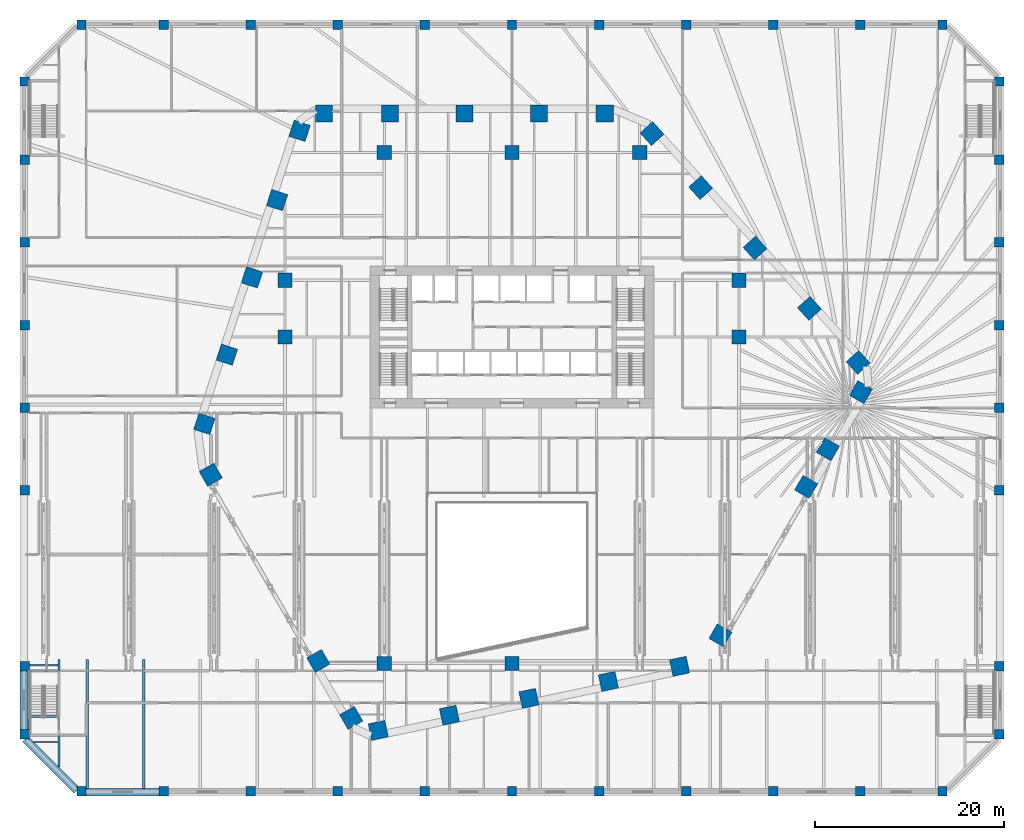
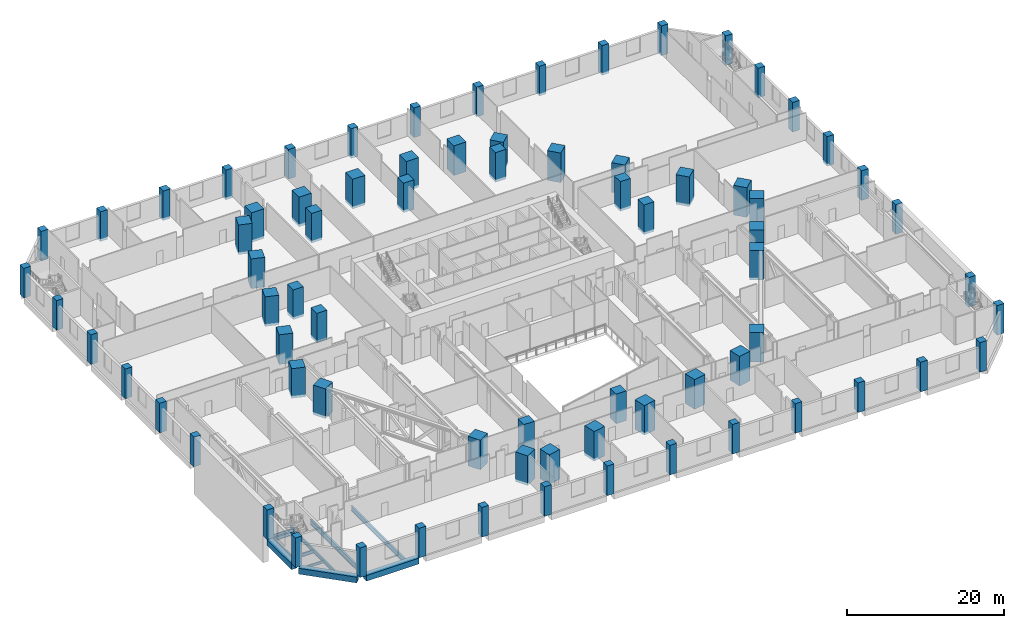
# One storey, part 1 of 32: 74 columns, 11 beams.
"""IFC4 building model written with IfcOpenShell, lengths in metres."""

from ifc_helpers import new_model, si_unit, direction, frame, origin, origin_2d, place, context, subcontext, project, spatial, rectangle, i_section, extrude, material, material_profile, profile_set, type_object, element, save


model = new_model("IFC4")

# Units and contexts
model_context = context("Model", 3, precision=1e-05, world=origin(), true_north=direction((0.0, 1.0)))
body_context = subcontext(model_context, "Body", "Model", "MODEL_VIEW")
ifc_project = project(units=[si_unit("LENGTHUNIT", "METRE"), si_unit("AREAUNIT", "SQUARE_METRE"), si_unit("VOLUMEUNIT", "CUBIC_METRE"), si_unit("PLANEANGLEUNIT", "RADIAN"), si_unit("MASSUNIT", "GRAM", prefix="KILO")], contexts=[model_context])

# Site, building, storey
site_placement = place(None, origin())
site = spatial("IfcSite", under=ifc_project, at=site_placement, CompositionType="ELEMENT")
building_placement = place(site_placement, origin())
building = spatial("IfcBuilding", under=site, at=building_placement, Name="Isthmus Gate Tower", CompositionType="ELEMENT")
storey_placement = place(building_placement, frame((0.0, 0.0, 18.0)))
storey = spatial("IfcBuildingStorey", under=building, at=storey_placement, Name="L02", CompositionType="ELEMENT", Elevation=18.0)

# Columns
ifc_material_1 = material(Name="Concrete f'c 70 MPa", Category="concrete")
ifc_material_profile_1 = material_profile(ifc_material_1, rectangle(XDim=1.5, YDim=1.5, at=origin_2d()), Name="RC 1500X1500")
ifc_profile_set_1 = profile_set([ifc_material_profile_1], Name="Concrete f'c 70 MPa")
column_type_1 = type_object("IfcColumnType", Name="RC INTERIOR COLUMN 1500 X 1500", PredefinedType="COLUMN", material=ifc_profile_set_1)
for number, where, z_axis, x_axis, name in (
    (1, (-24.0, 7.5, -0.39990234375), (0.0, 0.0, 1.0), (1.0, 0.0, 0.0), "str-icol-L02-ICA3"),
    (2, (-24.0, 13.5, -0.39990234375), (0.0, 0.0, 1.0), (1.0, 0.0, 0.0), "str-icol-L02-ICA4"),
    (3, (-13.5, -27.0, -0.39990234375), (0.0, 0.0, 1.0), (1.0, 0.0, 0.0), "str-icol-L02-ICB1"),
    (4, (-13.5, 27.0, -0.39990234375), (0.0, 0.0, 1.0), (1.0, 0.0, 0.0), "str-icol-L02-ICB5"),
    (5, (0.0, -27.0, -0.39990234375), (0.0, 0.0, 1.0), (1.0, 0.0, 0.0), "str-icol-L02-ICC1"),
    (6, (0.0, 27.0, -0.39990234375), (0.0, 0.0, 1.0), (1.0, 0.0, 0.0), "str-icol-L02-ICC5"),
    (7, (13.5, 27.0, -0.39990234375), (0.0, 0.0, 1.0), (1.0, 0.0, 0.0), "str-icol-L02-ICD5"),
    (8, (24.0, 7.5, -0.39990234375), (0.0, 0.0, 1.0), (1.0, 0.0, 0.0), "str-icol-L02-ICE3"),
    (9, (24.0, 13.5, -0.39990234375), (0.0, 0.0, 1.0), (1.0, 0.0, 0.0), "str-icol-L02-ICE4"),
):
    element("IfcColumn", number, at=place(storey_placement, frame(where, z_axis=z_axis, x_axis=x_axis)), inside=storey, type_object=column_type_1, Name=name, PredefinedType="COLUMN", context=body_context, shape_type="SweptSolid", body=[
        extrude(rectangle(XDim=1.5, YDim=1.5, at=origin_2d()), origin(), (0.0, 0.0, 1.0), 4.599853515625),
    ])
ifc_material_2 = material(Name="Concrete f'c 70 MPa", Category="concrete")
ifc_material_profile_2 = material_profile(ifc_material_2, rectangle(XDim=1.0, YDim=1.0, at=origin_2d()), Name="RC 1000X1000")
ifc_profile_set_2 = profile_set([ifc_material_profile_2], Name="Concrete f'c 70 MPa")
column_type_2 = type_object("IfcColumnType", Name="RC PODIUM COLUMN 1000 X 1000", PredefinedType="COLUMN", material=ifc_profile_set_2)
for number, where, z_axis, x_axis, name in (
    (10, (-45.5, -40.5, -0.39990234375), (0.0, 0.0, 1.0), (1.0, 0.0, 0.0), "str-pcol-L02-PC01"),
    (11, (-36.800048828125, -40.5, -0.39990234375), (0.0, 0.0, 1.0), (1.0, 0.0, 0.0), "str-pcol-L02-PC02"),
    (12, (-27.60009765625, -40.5, -0.39990234375), (0.0, 0.0, 1.0), (1.0, 0.0, 0.0), "str-pcol-L02-PC03"),
    (13, (-18.39990234375, -40.5, -0.39990234375), (0.0, 0.0, 1.0), (1.0, 0.0, 0.0), "str-pcol-L02-PC04"),
    (14, (-9.199951171875, -40.5, -0.39990234375), (0.0, 0.0, 1.0), (1.0, 0.0, 0.0), "str-pcol-L02-PC05"),
    (15, (0.0, -40.5, -0.39990234375), (0.0, 0.0, 1.0), (1.0, 0.0, 0.0), "str-pcol-L02-PC06"),
    (16, (9.199951171875, -40.5, -0.39990234375), (0.0, 0.0, 1.0), (1.0, 0.0, 0.0), "str-pcol-L02-PC07"),
    (17, (18.39990234375, -40.5, -0.39990234375), (0.0, 0.0, 1.0), (1.0, 0.0, 0.0), "str-pcol-L02-PC08"),
    (18, (27.60009765625, -40.5, -0.39990234375), (0.0, 0.0, 1.0), (1.0, 0.0, 0.0), "str-pcol-L02-PC09"),
    (19, (36.800048828125, -40.5, -0.39990234375), (0.0, 0.0, 1.0), (1.0, 0.0, 0.0), "str-pcol-L02-PC10"),
    (20, (45.5, -40.5, -0.39990234375), (0.0, 0.0, 1.0), (1.0, 0.0, 0.0), "str-pcol-L02-PC11"),
    (21, (51.5, -34.5, -0.39990234375), (0.0, 0.0, 1.0), (0.0, 1.0, 0.0), "str-pcol-L02-PC12"),
    (22, (51.5, 0.0, -0.39990234375), (0.0, 0.0, 1.0), (0.0, 1.0, 0.0), "str-pcol-L02-PC13"),
    (23, (51.5, 8.75, -0.39990234375), (0.0, 0.0, 1.0), (0.0, 1.0, 0.0), "str-pcol-L02-PC14"),
    (24, (51.5, 17.5, -0.39990234375), (0.0, 0.0, 1.0), (0.0, 1.0, 0.0), "str-pcol-L02-PC15"),
    (25, (51.5, 26.25, -0.39990234375), (0.0, 0.0, 1.0), (0.0, 1.0, 0.0), "str-pcol-L02-PC16"),
    (26, (51.5, 34.5, -0.39990234375), (0.0, 0.0, 1.0), (0.0, 1.0, 0.0), "str-pcol-L02-PC17"),
    (27, (45.5, 40.5, -0.39990234375), (0.0, 0.0, 1.0), (-1.0, 0.0, 0.0), "str-pcol-L02-PC18"),
    (28, (36.800048828125, 40.5, -0.39990234375), (0.0, 0.0, 1.0), (-1.0, 0.0, 0.0), "str-pcol-L02-PC19"),
    (29, (27.60009765625, 40.5, -0.39990234375), (0.0, 0.0, 1.0), (-1.0, 0.0, 0.0), "str-pcol-L02-PC20"),
    (30, (18.39990234375, 40.5, -0.39990234375), (0.0, 0.0, 1.0), (-1.0, 0.0, 0.0), "str-pcol-L02-PC21"),
    (31, (9.199951171875, 40.5, -0.39990234375), (0.0, 0.0, 1.0), (-1.0, 0.0, 0.0), "str-pcol-L02-PC22"),
    (32, (0.0, 40.5, -0.39990234375), (0.0, 0.0, 1.0), (-1.0, 0.0, 0.0), "str-pcol-L02-PC23"),
    (33, (-9.199951171875, 40.5, -0.39990234375), (0.0, 0.0, 1.0), (-1.0, 0.0, 0.0), "str-pcol-L02-PC24"),
    (34, (-18.39990234375, 40.5, -0.39990234375), (0.0, 0.0, 1.0), (-1.0, 0.0, 0.0), "str-pcol-L02-PC25"),
    (35, (-27.60009765625, 40.5, -0.39990234375), (0.0, 0.0, 1.0), (-1.0, 0.0, 0.0), "str-pcol-L02-PC26"),
    (36, (-36.800048828125, 40.5, -0.39990234375), (0.0, 0.0, 1.0), (-1.0, 0.0, 0.0), "str-pcol-L02-PC27"),
    (37, (-45.5, 40.5, -0.39990234375), (0.0, 0.0, 1.0), (-1.0, 0.0, 0.0), "str-pcol-L02-PC28"),
    (38, (-51.5, 34.5, -0.39990234375), (0.0, 0.0, 1.0), (0.0, -1.0, 0.0), "str-pcol-L02-PC29"),
    (39, (-51.5, 26.25, -0.39990234375), (0.0, 0.0, 1.0), (0.0, -1.0, 0.0), "str-pcol-L02-PC30"),
    (40, (-51.5, 17.5, -0.39990234375), (0.0, 0.0, 1.0), (0.0, -1.0, 0.0), "str-pcol-L02-PC31"),
    (41, (-51.5, 8.75, -0.39990234375), (0.0, 0.0, 1.0), (0.0, -1.0, 0.0), "str-pcol-L02-PC32"),
    (42, (-51.5, 0.0, -0.39990234375), (0.0, 0.0, 1.0), (0.0, -1.0, 0.0), "str-pcol-L02-PC33"),
    (43, (-51.5, -34.5, -0.39990234375), (0.0, 0.0, 1.0), (0.0, -1.0, 0.0), "str-pcol-L02-PC34"),
    (44, (-51.5, -27.300048828125, -0.39990234375), (0.0, 0.0, 1.0), (0.0, 1.0, 0.0), "str-pcol-L02-PC35"),
    (45, (-51.5, -8.699951171875, -0.39990234375), (0.0, 0.0, 1.0), (0.0, 1.0, 0.0), "str-pcol-L02-PC36"),
    (46, (51.5, -27.300048828125, -0.39990234375), (0.0, 0.0, 1.0), (0.0, 1.0, 0.0), "str-pcol-L02-PC37"),
    (47, (51.5, -8.699951171875, -0.39990234375), (0.0, 0.0, 1.0), (0.0, 1.0, 0.0), "str-pcol-L02-PC38"),
):
    element("IfcColumn", number, at=place(storey_placement, frame(where, z_axis=z_axis, x_axis=x_axis)), inside=storey, type_object=column_type_2, Name=name, PredefinedType="COLUMN", context=body_context, shape_type="SweptSolid", body=[
        extrude(rectangle(XDim=1.0, YDim=1.0, at=origin_2d()), origin(), (0.0, 0.0, 1.0), 4.599853515625),
    ])
ifc_material_3 = material(Name="Concrete f'c 70 MPa", Category="concrete")
ifc_material_profile_3 = material_profile(ifc_material_3, rectangle(XDim=1.800048828125, YDim=1.800048828125, at=origin_2d()), Name="RC 1800X1800")
ifc_profile_set_3 = profile_set([ifc_material_profile_3], Name="Concrete f'c 70 MPa")
column_type_3 = type_object("IfcColumnType", Name="RC TUBE COLUMN 1800 X 1800", PredefinedType="COLUMN", material=ifc_profile_set_3)
for number, where, z_axis, x_axis, name in (
    (48, (9.8017578125, 31.10009765625, -0.39990234375), (0.0, 0.0, 1.0), (-1.0, 0.0, 0.0), "str-tcol-L02-T1N0"),
    (49, (2.832275390625, 31.10009765625, -0.39990234375), (0.0, 0.0, 1.0), (-1.0, 0.0, 0.0), "str-tcol-L02-T1N1"),
    (50, (-5.037109375, 31.10009765625, -0.39990234375), (0.0, 0.0, 1.0), (-1.0, 0.0, 0.0), "str-tcol-L02-T1N2"),
    (51, (-12.90673828125, 31.10009765625, -0.39990234375), (0.0, 0.0, 1.0), (-1.0, 0.0, 0.0), "str-tcol-L02-T1N3"),
    (52, (-19.876220703125, 31.10009765625, -0.39990234375), (0.0, 0.0, 1.0), (-1.0, 0.0, 0.0), "str-tcol-L02-T1N4"),
    (53, (-22.451171875, 29.281005859375, -0.39990234375), (0.0, 0.0, 1.0), (-0.309016994375, -0.951056516295, 0.0), "str-tcol-L02-T1NW0"),
    (54, (-24.827392578125, 21.9677734375, -0.39990234375), (0.0, 0.0, 1.0), (-0.309016994375, -0.951056516295, 0.0), "str-tcol-L02-T1NW1"),
    (55, (-27.481689453125, 13.798828125, -0.39990234375), (0.0, 0.0, 1.0), (-0.309016994375, -0.951056516295, 0.0), "str-tcol-L02-T1NW2"),
    (56, (-30.135986328125, 5.6298828125, -0.39990234375), (0.0, 0.0, 1.0), (-0.309016994375, -0.951056516295, 0.0), "str-tcol-L02-T1NW3"),
    (57, (-32.511962890625, -1.68310546875, -0.39990234375), (0.0, 0.0, 1.0), (-0.309016994375, -0.951056516295, 0.0), "str-tcol-L02-T1NW4"),
    (58, (-31.834228515625, -7.061279296875, -0.39990234375), (0.0, 0.0, 1.0), (0.5, -0.866025403784, 0.0), "str-tcol-L02-T1SW0"),
    (59, (-20.467041015625, -26.75, -0.39990234375), (0.0, 0.0, 1.0), (0.5, -0.866025403784, 0.0), "str-tcol-L02-T1SW2"),
    (60, (-16.995361328125, -32.763427734375, -0.39990234375), (0.0, 0.0, 1.0), (0.5, -0.866025403784, 0.0), "str-tcol-L02-T1SW3"),
    (61, (-14.13232421875, -34.083740234375, -0.39990234375), (0.0, 0.0, 1.0), (0.978147600734, 0.207911690818, 0.0), "str-tcol-L02-T1S0"),
    (62, (-6.611083984375, -32.485107421875, -0.39990234375), (0.0, 0.0, 1.0), (0.978147600734, 0.207911690818, 0.0), "str-tcol-L02-T1S1"),
    (63, (1.79052734375, -30.69921875, -0.39990234375), (0.0, 0.0, 1.0), (0.978147600734, 0.207911690818, 0.0), "str-tcol-L02-T1S2"),
    (64, (10.192138671875, -28.91357421875, -0.39990234375), (0.0, 0.0, 1.0), (0.978147600734, 0.207911690818, 0.0), "str-tcol-L02-T1S3"),
    (65, (17.713623046875, -27.314697265625, -0.39990234375), (0.0, 0.0, 1.0), (0.978147600734, 0.207911690818, 0.0), "str-tcol-L02-T1S4"),
    (66, (22.032470703125, -24.03857421875, -0.39990234375), (0.0, 0.0, 1.0), (0.5, 0.866025403784, 0.0), "str-tcol-L02-T1SE0"),
    (67, (31.09033203125, -8.35009765625, -0.39990234375), (0.0, 0.0, 1.0), (0.5, 0.866025403784, 0.0), "str-tcol-L02-T1SE1"),
    (68, (33.38671875, -4.37255859375, -0.39990234375), (0.0, 0.0, 1.0), (0.5, 0.866025403784, 0.0), "str-tcol-L02-T1SE2"),
    (69, (36.87158203125, 1.663330078125, -0.39990234375), (0.0, 0.0, 1.0), (0.5, 0.866025403784, 0.0), "str-tcol-L02-T1SE3"),
    (70, (36.583740234375, 4.802978515625, -0.39990234375), (0.0, 0.0, 1.0), (-0.669130606359, 0.743144825477, 0.0), "str-tcol-L02-T1NE0"),
    (71, (31.4384765625, 10.517333984375, -0.39990234375), (0.0, 0.0, 1.0), (-0.669130606359, 0.743144825477, 0.0), "str-tcol-L02-T1NE1"),
    (72, (25.691162109375, 16.900390625, -0.39990234375), (0.0, 0.0, 1.0), (-0.669130606359, 0.743144825477, 0.0), "str-tcol-L02-T1NE2"),
    (73, (19.943603515625, 23.283447265625, -0.39990234375), (0.0, 0.0, 1.0), (-0.669130606359, 0.743144825477, 0.0), "str-tcol-L02-T1NE3"),
    (74, (14.798583984375, 28.997802734375, -0.39990234375), (0.0, 0.0, 1.0), (-0.669130606359, 0.743144825477, 0.0), "str-tcol-L02-T1NE4"),
):
    element("IfcColumn", number, at=place(storey_placement, frame(where, z_axis=z_axis, x_axis=x_axis)), inside=storey, type_object=column_type_3, Name=name, PredefinedType="COLUMN", context=body_context, shape_type="SweptSolid", body=[
        extrude(rectangle(XDim=1.800048828125, YDim=1.800048828125, at=origin_2d()), origin(), (0.0, 0.0, 1.0), 4.599853515625),
    ])

# Beams
ifc_material_4 = material(Name="Concrete f'c 70 MPa", Category="concrete")
ifc_material_profile_4 = material_profile(ifc_material_4, rectangle(XDim=0.800048828125, YDim=0.89990234375, at=origin_2d()), Name="RC 800X900")
ifc_profile_set_4 = profile_set([ifc_material_profile_4], Name="Concrete f'c 70 MPa")
beam_type_1 = type_object("IfcBeamType", Name="RC EDGE BEAM 800 X 900", PredefinedType="BEAM", material=ifc_profile_set_4)
beam_1_placement = place(storey_placement, frame((-46.0, -40.434326171875, -0.85009765625), z_axis=(-0.707106781187, 0.707106781187, 0.0), x_axis=(-0.707106781187, -0.707106781187, 0.0)))
element("IfcBeam", 75, at=beam_1_placement, inside=storey, type_object=beam_type_1, Name="str-edgebeam-L02-00", PredefinedType="BEAM", context=body_context, shape_type="SweptSolid", body=[
    extrude(rectangle(XDim=0.800048828125, YDim=0.89990234375, at=origin_2d()), origin(), (0.0, 0.0, 1.0), 7.685302734375),
])
beam_2_placement = place(storey_placement, frame((-51.60009765625, -34.0, -0.85009765625), z_axis=(0.0, 1.0, 0.0), x_axis=(-1.0, 0.0, 0.0)))
element("IfcBeam", 76, at=beam_2_placement, inside=storey, type_object=beam_type_1, Name="str-edgebeam-L02-01", PredefinedType="BEAM", context=body_context, shape_type="SweptSolid", body=[
    extrude(rectangle(XDim=0.800048828125, YDim=0.89990234375, at=origin_2d()), origin(), (0.0, 0.0, 1.0), 6.199951171875),
])
beam_3_placement = place(storey_placement, frame((-37.300048828125, -40.60009765625, -0.85009765625), z_axis=(-1.0, 0.0, 0.0), x_axis=(0.0, -1.0, 0.0)))
element("IfcBeam", 77, at=beam_3_placement, inside=storey, type_object=beam_type_1, Name="str-edgebeam-L02-37", PredefinedType="BEAM", context=body_context, shape_type="SweptSolid", body=[
    extrude(rectangle(XDim=0.800048828125, YDim=0.89990234375, at=origin_2d()), origin(), (0.0, 0.0, 1.0), 7.699951171875),
])
ifc_material_5 = material(Name="Structural steel ASTM A992 Gr 50", Category="steel")
ifc_material_profile_5 = material_profile(ifc_material_5, i_section(OverallWidth=0.1396484375, OverallDepth=0.4033203125, WebThickness=0.00634765625, FlangeThickness=0.010986328125, at=origin_2d()), Name="W16X31")
ifc_profile_set_5 = profile_set([ifc_material_profile_5], Name="Structural steel ASTM A992 Gr 50")
beam_type_2 = type_object("IfcBeamType", Name="STEEL FLOOR BEAM W16X31", PredefinedType="JOIST", material=ifc_profile_set_5)
beam_4_placement = place(storey_placement, frame((-51.0, -27.199951171875, -0.6015625), z_axis=(1.0, 0.0, 0.0), x_axis=(0.0, 1.0, 0.0)))
element("IfcBeam", 78, at=beam_4_placement, inside=storey, type_object=beam_type_2, Name="str-beam-L02-03-00", PredefinedType="JOIST", context=body_context, shape_type="SweptSolid", body=[
    extrude(i_section(OverallWidth=0.1396484375, OverallDepth=0.4033203125, WebThickness=0.00634765625, FlangeThickness=0.010986328125, at=origin_2d()), origin(), (0.0, 0.0, 1.0), 3.0),
])
beam_5_placement = place(storey_placement, frame((-50.567138671875, -35.301513671875, -0.6015625), z_axis=(1.0, 0.0, 0.0), x_axis=(0.0, 1.0, 0.0)))
element("IfcBeam", 79, at=beam_5_placement, inside=storey, type_object=beam_type_2, Name="str-beam-L02-04-00", PredefinedType="JOIST", context=body_context, shape_type="SweptSolid", body=[
    extrude(i_section(OverallWidth=0.1396484375, OverallDepth=0.4033203125, WebThickness=0.00634765625, FlangeThickness=0.010986328125, at=origin_2d()), origin(), (0.0, 0.0, 1.0), 2.567138671875),
])
ifc_material_6 = material(Name="Structural steel ASTM A992 Gr 50", Category="steel")
ifc_material_profile_6 = material_profile(ifc_material_6, i_section(OverallWidth=0.263427734375, OverallDepth=0.749267578125, WebThickness=0.0126953125, FlangeThickness=0.015869140625, at=origin_2d()), Name="W30X90")
ifc_profile_set_6 = profile_set([ifc_material_profile_6], Name="Structural steel ASTM A992 Gr 50")
beam_type_3 = type_object("IfcBeamType", Name="STEEL FLOOR BEAM W30X90", PredefinedType="JOIST", material=ifc_profile_set_6)
for number, where, z_axis, x_axis, name in (
    (80, (-44.90185546875, -40.199951171875, -0.774658203125), (0.0, 1.0, 0.0), (-1.0, 0.0, 0.0), "str-beam-L02-19-00"),
    (81, (-38.914794921875, -40.199951171875, -0.774658203125), (0.0, 1.0, 0.0), (-1.0, 0.0, 0.0), "str-beam-L02-19-01"),
):
    element("IfcBeam", number, at=place(storey_placement, frame(where, z_axis=z_axis, x_axis=x_axis)), inside=storey, type_object=beam_type_3, Name=name, PredefinedType="JOIST", context=body_context, shape_type="SweptSolid", body=[
        extrude(i_section(OverallWidth=0.263427734375, OverallDepth=0.749267578125, WebThickness=0.0126953125, FlangeThickness=0.015869140625, at=origin_2d()), origin(), (0.0, 0.0, 1.0), 13.599853515625),
    ])
ifc_material_7 = material(Name="Structural steel ASTM A992 Gr 50", Category="steel")
ifc_material_profile_7 = material_profile(ifc_material_7, i_section(OverallWidth=0.20947265625, OverallDepth=0.533447265625, WebThickness=0.009521484375, FlangeThickness=0.015869140625, at=origin_2d()), Name="W21X62")
ifc_profile_set_7 = profile_set([ifc_material_profile_7], Name="Structural steel ASTM A992 Gr 50")
beam_type_4 = type_object("IfcBeamType", Name="STEEL TRIMMER W21X62", PredefinedType="BEAM", material=ifc_profile_set_7)
beam_6_placement = place(storey_placement, frame((-47.895263671875, -37.973388671875, -0.666748046875), z_axis=(0.0, 1.0, 0.0), x_axis=(-1.0, 0.0, 0.0)))
element("IfcBeam", 82, at=beam_6_placement, inside=storey, type_object=beam_type_4, Name="str-trimmer-L02-01", PredefinedType="BEAM", context=body_context, shape_type="SweptSolid", body=[
    extrude(i_section(OverallWidth=0.20947265625, OverallDepth=0.533447265625, WebThickness=0.009521484375, FlangeThickness=0.015869140625, at=origin_2d()), origin(), (0.0, 0.0, 1.0), 11.373291015625),
])
beam_7_placement = place(storey_placement, frame((-51.0546875, -27.800048828125, -0.666748046875), z_axis=(0.0, -1.0, 0.0), x_axis=(1.0, 0.0, 0.0)))
element("IfcBeam", 83, at=beam_7_placement, inside=storey, type_object=beam_type_4, Name="str-trimmer-L02-02", PredefinedType="BEAM", context=body_context, shape_type="SweptSolid", body=[
    extrude(i_section(OverallWidth=0.20947265625, OverallDepth=0.533447265625, WebThickness=0.009521484375, FlangeThickness=0.015869140625, at=origin_2d()), origin(), (0.0, 0.0, 1.0), 6.199951171875),
])
for number, where, z_axis, x_axis, name in (
    (84, (-48.0, -27.82421875, -0.666748046875), (-1.0, 0.0, 0.0), (0.0, -1.0, 0.0), "str-trimmer-L02-10"),
    (85, (-50.949951171875, -32.629638671875, -0.666748046875), (1.0, 0.0, 0.0), (0.0, 1.0, 0.0), "str-trimmer-L02-11"),
):
    element("IfcBeam", number, at=place(storey_placement, frame(where, z_axis=z_axis, x_axis=x_axis)), inside=storey, type_object=beam_type_4, Name=name, PredefinedType="BEAM", context=body_context, shape_type="SweptSolid", body=[
        extrude(i_section(OverallWidth=0.20947265625, OverallDepth=0.533447265625, WebThickness=0.009521484375, FlangeThickness=0.015869140625, at=origin_2d()), origin(), (0.0, 0.0, 1.0), 2.949951171875),
    ])

save(model, "model.ifc")
